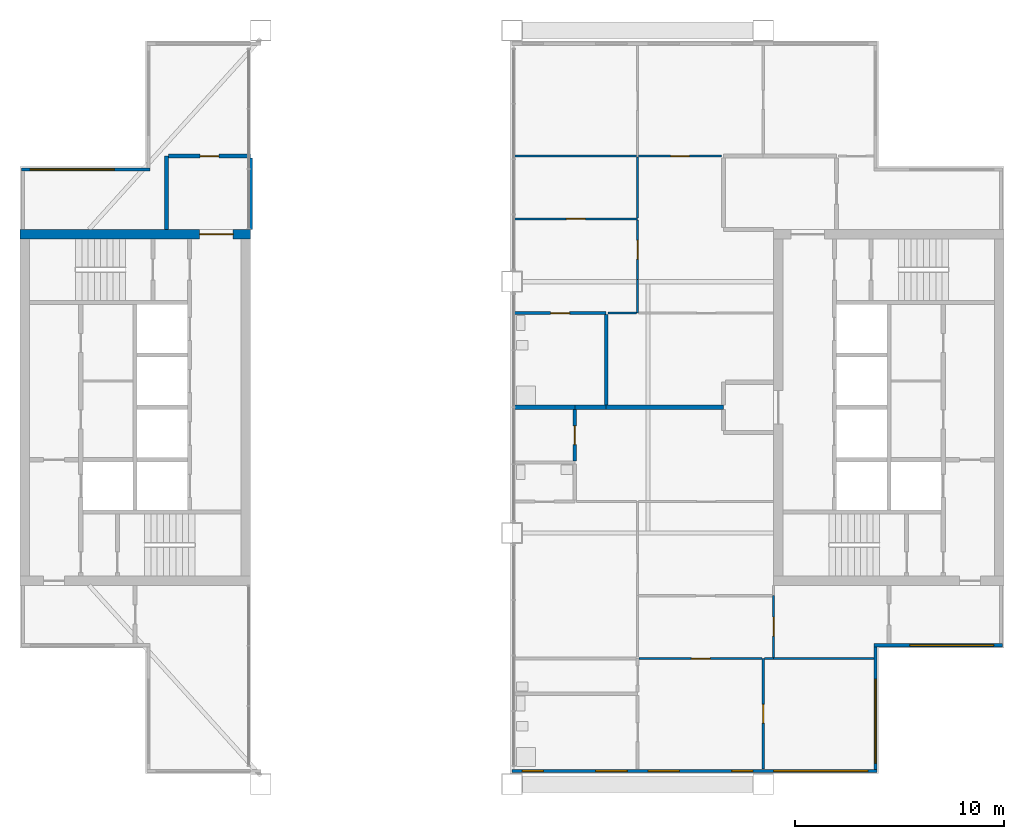
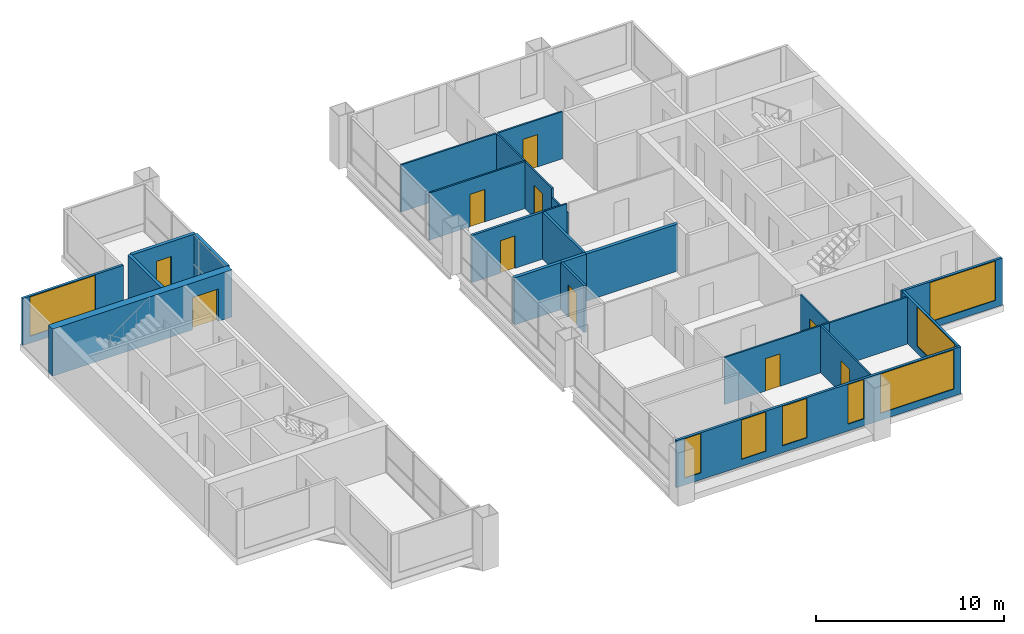
# One storey, part 8 of 13: 26 walls, 10 doors, 8 windows, 18 openings.
"""IFC4 building model written with IfcOpenShell, lengths in metres."""

from ifc_helpers import new_model, si_unit, direction, frame, frame_2d, origin, place, context, subcontext, project, spatial, rectangle, extrude, material, layer, layer_set, type_object, element, fill, save


model = new_model("IFC4")

# Units and contexts
model_context = context("Model", 3, precision=1e-05, world=origin(), true_north=direction((0.0, 1.0)))
body_context = subcontext(model_context, "Body", "Model", "MODEL_VIEW")
ifc_project = project(units=[si_unit("LENGTHUNIT", "METRE"), si_unit("AREAUNIT", "SQUARE_METRE"), si_unit("VOLUMEUNIT", "CUBIC_METRE"), si_unit("PLANEANGLEUNIT", "RADIAN"), si_unit("MASSUNIT", "GRAM", prefix="KILO")], contexts=[model_context])

# Site, building, storey
site_placement = place(None, origin())
site = spatial("IfcSite", under=ifc_project, at=site_placement, CompositionType="ELEMENT")
building_placement = place(site_placement, origin())
building = spatial("IfcBuilding", under=site, at=building_placement, Name="Kitamizu Gate Tower and Museum", CompositionType="ELEMENT")
storey_placement = place(building_placement, frame((0.0, 0.0, 252.449951171875)))
storey = spatial("IfcBuildingStorey", under=building, at=storey_placement, Name="L68", CompositionType="ELEMENT", Elevation=252.449951171875)

# Wall, opening, door
ifc_material_1 = material(Name="Concrete Fc42", Category="concrete")
ifc_layer_1 = layer(ifc_material_1, 0.449951171875)
ifc_layer_set_1 = layer_set([ifc_layer_1], Name="Concrete Fc42")
wall_type_1 = type_object("IfcWallType", Name="Core wall 450 EI 90", PredefinedType="SHEAR", material=ifc_layer_set_1)
wall_1_placement = place(storey_placement, frame((12.5, 38.27490234375, 0.0), z_axis=(0.0, 0.0, 1.0), x_axis=(1.0, 0.0, 0.0)))
wall_1 = element("IfcWall", 1, at=wall_1_placement, inside=storey, type_object=wall_type_1, Name="Core wall WN", PredefinedType="SHEAR", context=body_context, shape_type="SweptSolid", body=[
    extrude(rectangle(XDim=11.0, YDim=0.449951171875, at=frame_2d((5.5, 0.0))), origin(), (0.0, 0.0, 1.0), 3.050048828125),
])
opening_1_placement = place(wall_1_placement, frame((8.574951171875, 0.0, 0.0)))
opening_1 = element("IfcOpeningElement", 2, at=opening_1_placement, cuts=wall_1, Name="Opening L68-029", PredefinedType="OPENING", context=body_context, shape_type="SweptSolid", body=[
    extrude(rectangle(XDim=1.60009765625, YDim=2.10009765625, at=frame_2d((0.800048828125, 1.050048828125))), frame((0.0, 0.23486328125, 0.0), z_axis=(0.0, -1.0, 0.0), x_axis=(1.0, 0.0, 0.0)), (0.0, 0.0, 1.0), 0.469970703125),
])
ifc_material_2 = material(Name="Timber door set", Category="wood")
door_type_1 = type_object("IfcDoorType", Name="Entrance door 1600", OperationType="DOUBLE_DOOR_SINGLE_SWING", PredefinedType="DOOR", material=ifc_material_2)
door_1_placement = place(opening_1_placement, origin())
door_1 = element("IfcDoor", 3, at=door_1_placement, inside=storey, type_object=door_type_1, Name="Lobby door L68-029", OperationType="DOUBLE_DOOR_SINGLE_SWING", OverallHeight=2.10009765625, OverallWidth=1.60009765625, PredefinedType="DOOR", context=body_context, shape_type="SweptSolid", body=[
    extrude(rectangle(XDim=1.60009765625, YDim=2.10009765625, at=frame_2d((0.800048828125, 1.050048828125))), frame((0.0, 0.02490234375, 0.0), z_axis=(0.0, -1.0, 0.0), x_axis=(1.0, 0.0, 0.0)), (0.0, 0.0, 1.0), 0.050048828125),
])
fill(opening_1, door_1)

ifc_material_3 = material(Name="Gypsum board on galvanised stud")
ifc_layer_2 = layer(ifc_material_3, 0.10009765625)
ifc_layer_set_2 = layer_set([ifc_layer_2], Name="Gypsum board on galvanised stud")
wall_type_2 = type_object("IfcWallType", Name="Partition 100 NOT RATED", PredefinedType="PARTITIONING", material=ifc_layer_set_2)
wall_2_placement = place(storey_placement, frame((48.0, 12.719970703125, 0.0), z_axis=(0.0, 0.0, 1.0), x_axis=(0.0, 1.0, 0.0)))
wall_2 = element("IfcWall", 4, at=wall_2_placement, inside=storey, type_object=wall_type_2, Name="Partition L68-009", PredefinedType="PARTITIONING", context=body_context, shape_type="SweptSolid", body=[
    extrude(rectangle(XDim=5.280029296875, YDim=0.10009765625, at=frame_2d((2.64013671875, 0.0))), origin(), (0.0, 0.0, 1.0), 3.050048828125),
])
opening_2_placement = place(wall_2_placement, frame((2.18994140625, 0.0, 0.0)))
opening_2 = element("IfcOpeningElement", 5, at=opening_2_placement, cuts=wall_2, Name="Opening L68-007", PredefinedType="OPENING", context=body_context, shape_type="SweptSolid", body=[
    extrude(rectangle(XDim=0.89990234375, YDim=2.10009765625, at=frame_2d((0.449951171875, 1.050048828125))), frame((0.0, 0.06005859375, 0.0), z_axis=(0.0, -1.0, 0.0), x_axis=(1.0, 0.0, 0.0)), (0.0, 0.0, 1.0), 0.1201171875),
])
ifc_material_4 = material(Name="Timber door set", Category="wood")
door_type_2 = type_object("IfcDoorType", Name="Room door 900", OperationType="NOTDEFINED", PredefinedType="DOOR", material=ifc_material_4)
door_2_placement = place(opening_2_placement, frame((0.89990234375, 0.0, 0.0), x_axis=(-1.0, 0.0, 0.0)))
door_2 = element("IfcDoor", 6, at=door_2_placement, inside=storey, type_object=door_type_2, Name="Door L68-007", OperationType="SINGLE_SWING_LEFT", OverallHeight=2.10009765625, OverallWidth=0.89990234375, PredefinedType="DOOR", context=body_context, shape_type="SweptSolid", body=[
    extrude(rectangle(XDim=0.89990234375, YDim=2.10009765625, at=frame_2d((0.449951171875, 1.050048828125))), frame((0.0, 0.02490234375, 0.0), z_axis=(0.0, -1.0, 0.0), x_axis=(1.0, 0.0, 0.0)), (0.0, 0.0, 1.0), 0.050048828125),
])
fill(opening_2, door_2)

wall_3_placement = place(storey_placement, frame((47.949951171875, 18.0, 0.0), z_axis=(0.0, 0.0, 1.0), x_axis=(-1.0, 0.0, 0.0)))
wall_3 = element("IfcWall", 7, at=wall_3_placement, inside=storey, type_object=wall_type_2, Name="Partition L68-010", PredefinedType="PARTITIONING", context=body_context, shape_type="SweptSolid", body=[
    extrude(rectangle(XDim=5.875, YDim=0.10009765625, at=frame_2d((2.9375, 0.0))), origin(), (0.0, 0.0, 1.0), 3.050048828125),
])
opening_3_placement = place(wall_3_placement, frame((2.487548828125, 0.0, 0.0)))
opening_3 = element("IfcOpeningElement", 8, at=opening_3_placement, cuts=wall_3, Name="Opening L68-003", PredefinedType="OPENING", context=body_context, shape_type="SweptSolid", body=[
    extrude(rectangle(XDim=0.89990234375, YDim=2.10009765625, at=frame_2d((0.449951171875, 1.050048828125))), frame((0.0, 0.06005859375, 0.0), z_axis=(0.0, -1.0, 0.0), x_axis=(1.0, 0.0, 0.0)), (0.0, 0.0, 1.0), 0.1201171875),
])
door_3_placement = place(opening_3_placement, frame((0.89990234375, 0.0, 0.0), x_axis=(-1.0, 0.0, 0.0)))
door_3 = element("IfcDoor", 9, at=door_3_placement, inside=storey, type_object=door_type_2, Name="Door L68-003", OperationType="SINGLE_SWING_LEFT", OverallHeight=2.10009765625, OverallWidth=0.89990234375, PredefinedType="DOOR", context=body_context, shape_type="SweptSolid", body=[
    extrude(rectangle(XDim=0.89990234375, YDim=2.10009765625, at=frame_2d((0.449951171875, 1.050048828125))), frame((0.0, 0.02490234375, 0.0), z_axis=(0.0, -1.0, 0.0), x_axis=(1.0, 0.0, 0.0)), (0.0, 0.0, 1.0), 0.050048828125),
])
fill(opening_3, door_3)

# Walls
wall_4_placement = place(storey_placement, frame((53.280029296875, 18.0, 0.0), z_axis=(0.0, 0.0, 1.0), x_axis=(-1.0, 0.0, 0.0)))
element("IfcWall", 10, at=wall_4_placement, inside=storey, type_object=wall_type_2, Name="Partition L68-011", PredefinedType="PARTITIONING", context=body_context, shape_type="SweptSolid", body=[
    extrude(rectangle(XDim=4.780029296875, YDim=0.10009765625, at=frame_2d((2.39013671875, 0.0))), origin(), (0.0, 0.0, 1.0), 3.050048828125),
])
wall_5_placement = place(storey_placement, frame((48.5, 18.0, 0.0), z_axis=(0.0, 0.0, 1.0), x_axis=(-1.0, 0.0, 0.0)))
element("IfcWall", 11, at=wall_5_placement, inside=storey, type_object=wall_type_2, Name="Partition L68-012", PredefinedType="PARTITIONING", context=body_context, shape_type="SweptSolid", body=[
    extrude(rectangle(XDim=0.449951171875, YDim=0.10009765625, at=frame_2d((0.22509765625, 0.0))), origin(), (0.0, 0.0, 1.0), 3.050048828125),
])

# Wall, opening, door
wall_6_placement = place(storey_placement, frame((48.5, 21.0, 0.0), z_axis=(0.0, 0.0, 1.0), x_axis=(0.0, -1.0, 0.0)))
wall_6 = element("IfcWall", 12, at=wall_6_placement, inside=storey, type_object=wall_type_2, Name="Partition L68-013", PredefinedType="PARTITIONING", context=body_context, shape_type="SweptSolid", body=[
    extrude(rectangle(XDim=2.949951171875, YDim=0.10009765625, at=frame_2d((1.47509765625, 0.0))), origin(), (0.0, 0.0, 1.0), 3.050048828125),
])
opening_4_placement = place(wall_6_placement, frame((1.02490234375, 0.0, 0.0)))
opening_4 = element("IfcOpeningElement", 13, at=opening_4_placement, cuts=wall_6, Name="Opening L68-002", PredefinedType="OPENING", context=body_context, shape_type="SweptSolid", body=[
    extrude(rectangle(XDim=0.89990234375, YDim=2.10009765625, at=frame_2d((0.449951171875, 1.050048828125))), frame((0.0, 0.06005859375, 0.0), z_axis=(0.0, -1.0, 0.0), x_axis=(1.0, 0.0, 0.0)), (0.0, 0.0, 1.0), 0.1201171875),
])
door_4_placement = place(opening_4_placement, frame((0.89990234375, 0.0, 0.0), x_axis=(-1.0, 0.0, 0.0)))
door_4 = element("IfcDoor", 14, at=door_4_placement, inside=storey, type_object=door_type_2, Name="Door L68-002", OperationType="SINGLE_SWING_RIGHT", OverallHeight=2.10009765625, OverallWidth=0.89990234375, PredefinedType="DOOR", context=body_context, shape_type="SweptSolid", body=[
    extrude(rectangle(XDim=0.89990234375, YDim=2.10009765625, at=frame_2d((0.449951171875, 1.050048828125))), frame((0.0, 0.02490234375, 0.0), z_axis=(0.0, -1.0, 0.0), x_axis=(1.0, 0.0, 0.0)), (0.0, 0.0, 1.0), 0.050048828125),
])
fill(opening_4, door_4)

# Wall
wall_7_placement = place(storey_placement, frame((36.10009765625, 42.0, 0.0), z_axis=(0.0, 0.0, 1.0), x_axis=(1.0, 0.0, 0.0)))
element("IfcWall", 15, at=wall_7_placement, inside=storey, type_object=wall_type_2, Name="Partition L68-032", PredefinedType="PARTITIONING", context=body_context, shape_type="SweptSolid", body=[
    extrude(rectangle(XDim=5.849853515625, YDim=0.10009765625, at=frame_2d((2.9248046875, 0.0))), origin(), (0.0, 0.0, 1.0), 3.050048828125),
])

# Wall, opening, door
wall_8_placement = place(storey_placement, frame((42.050048828125, 42.0, 0.0), z_axis=(0.0, 0.0, 1.0), x_axis=(1.0, 0.0, 0.0)))
wall_8 = element("IfcWall", 16, at=wall_8_placement, inside=storey, type_object=wall_type_2, Name="Partition L68-034", PredefinedType="PARTITIONING", context=body_context, shape_type="SweptSolid", body=[
    extrude(rectangle(XDim=3.949951171875, YDim=0.10009765625, at=frame_2d((1.97509765625, 0.0))), origin(), (0.0, 0.0, 1.0), 3.050048828125),
])
opening_5_placement = place(wall_8_placement, frame((1.52490234375, 0.0, 0.0)))
opening_5 = element("IfcOpeningElement", 17, at=opening_5_placement, cuts=wall_8, Name="Opening L68-015", PredefinedType="OPENING", context=body_context, shape_type="SweptSolid", body=[
    extrude(rectangle(XDim=0.89990234375, YDim=2.10009765625, at=frame_2d((0.449951171875, 1.050048828125))), frame((0.0, 0.06005859375, 0.0), z_axis=(0.0, -1.0, 0.0), x_axis=(1.0, 0.0, 0.0)), (0.0, 0.0, 1.0), 0.1201171875),
])
door_5_placement = place(opening_5_placement, origin())
door_5 = element("IfcDoor", 18, at=door_5_placement, inside=storey, type_object=door_type_2, Name="Door L68-015", OperationType="SINGLE_SWING_RIGHT", OverallHeight=2.10009765625, OverallWidth=0.89990234375, PredefinedType="DOOR", context=body_context, shape_type="SweptSolid", body=[
    extrude(rectangle(XDim=0.89990234375, YDim=2.10009765625, at=frame_2d((0.449951171875, 1.050048828125))), frame((0.0, 0.02490234375, 0.0), z_axis=(0.0, -1.0, 0.0), x_axis=(1.0, 0.0, 0.0)), (0.0, 0.0, 1.0), 0.050048828125),
])
fill(opening_5, door_5)

wall_9_placement = place(storey_placement, frame((42.0, 39.0, 0.0), z_axis=(0.0, 0.0, 1.0), x_axis=(-1.0, 0.0, 0.0)))
wall_9 = element("IfcWall", 19, at=wall_9_placement, inside=storey, type_object=wall_type_2, Name="Partition L68-039", PredefinedType="PARTITIONING", context=body_context, shape_type="SweptSolid", body=[
    extrude(rectangle(XDim=5.89990234375, YDim=0.10009765625, at=frame_2d((2.949951171875, 0.0))), origin(), (0.0, 0.0, 1.0), 3.050048828125),
])
opening_6_placement = place(wall_9_placement, frame((2.5, 0.0, 0.0)))
opening_6 = element("IfcOpeningElement", 20, at=opening_6_placement, cuts=wall_9, Name="Opening L68-019", PredefinedType="OPENING", context=body_context, shape_type="SweptSolid", body=[
    extrude(rectangle(XDim=0.89990234375, YDim=2.10009765625, at=frame_2d((0.449951171875, 1.050048828125))), frame((0.0, 0.06005859375, 0.0), z_axis=(0.0, -1.0, 0.0), x_axis=(1.0, 0.0, 0.0)), (0.0, 0.0, 1.0), 0.1201171875),
])
door_6_placement = place(opening_6_placement, frame((0.89990234375, 0.0, 0.0), x_axis=(-1.0, 0.0, 0.0)))
door_6 = element("IfcDoor", 21, at=door_6_placement, inside=storey, type_object=door_type_2, Name="Door L68-019", OperationType="SINGLE_SWING_RIGHT", OverallHeight=2.10009765625, OverallWidth=0.89990234375, PredefinedType="DOOR", context=body_context, shape_type="SweptSolid", body=[
    extrude(rectangle(XDim=0.89990234375, YDim=2.10009765625, at=frame_2d((0.449951171875, 1.050048828125))), frame((0.0, 0.02490234375, 0.0), z_axis=(0.0, -1.0, 0.0), x_axis=(1.0, 0.0, 0.0)), (0.0, 0.0, 1.0), 0.050048828125),
])
fill(opening_6, door_6)

# Wall
wall_10_placement = place(storey_placement, frame((42.0, 34.5, 0.0), z_axis=(0.0, 0.0, 1.0), x_axis=(0.0, 1.0, 0.0)))
element("IfcWall", 22, at=wall_10_placement, inside=storey, type_object=wall_type_2, Name="Partition L68-040", PredefinedType="PARTITIONING", context=body_context, shape_type="SweptSolid", body=[
    extrude(rectangle(XDim=1.60009765625, YDim=0.10009765625, at=frame_2d((0.800048828125, 0.0))), origin(), (0.0, 0.0, 1.0), 2.449951171875),
])

# Wall, opening, door
wall_11_placement = place(storey_placement, frame((42.0, 36.10009765625, 0.0), z_axis=(0.0, 0.0, 1.0), x_axis=(0.0, 1.0, 0.0)))
wall_11 = element("IfcWall", 23, at=wall_11_placement, inside=storey, type_object=wall_type_2, Name="Partition L68-041", PredefinedType="PARTITIONING", context=body_context, shape_type="SweptSolid", body=[
    extrude(rectangle(XDim=2.849853515625, YDim=0.10009765625, at=frame_2d((1.4248046875, 0.0))), origin(), (0.0, 0.0, 1.0), 3.050048828125),
])
opening_7_placement = place(wall_11_placement, frame((0.97509765625, 0.0, 0.0)))
opening_7 = element("IfcOpeningElement", 24, at=opening_7_placement, cuts=wall_11, Name="Opening L68-018", PredefinedType="OPENING", context=body_context, shape_type="SweptSolid", body=[
    extrude(rectangle(XDim=0.89990234375, YDim=2.10009765625, at=frame_2d((0.449951171875, 1.050048828125))), frame((0.0, 0.06005859375, 0.0), z_axis=(0.0, -1.0, 0.0), x_axis=(1.0, 0.0, 0.0)), (0.0, 0.0, 1.0), 0.1201171875),
])
door_7_placement = place(opening_7_placement, origin())
door_7 = element("IfcDoor", 25, at=door_7_placement, inside=storey, type_object=door_type_2, Name="Door L68-018", OperationType="SINGLE_SWING_LEFT", OverallHeight=2.10009765625, OverallWidth=0.89990234375, PredefinedType="DOOR", context=body_context, shape_type="SweptSolid", body=[
    extrude(rectangle(XDim=0.89990234375, YDim=2.10009765625, at=frame_2d((0.449951171875, 1.050048828125))), frame((0.0, 0.02490234375, 0.0), z_axis=(0.0, -1.0, 0.0), x_axis=(1.0, 0.0, 0.0)), (0.0, 0.0, 1.0), 0.050048828125),
])
fill(opening_7, door_7)

# Walls
wall_12_placement = place(storey_placement, frame((40.574951171875, 34.5, 0.0), z_axis=(0.0, 0.0, 1.0), x_axis=(1.0, 0.0, 0.0)))
element("IfcWall", 26, at=wall_12_placement, inside=storey, type_object=wall_type_2, Name="Partition L68-043", PredefinedType="PARTITIONING", context=body_context, shape_type="SweptSolid", body=[
    extrude(rectangle(XDim=1.375, YDim=0.10009765625, at=frame_2d((0.6875, 0.0))), origin(), (0.0, 0.0, 1.0), 3.050048828125),
])
wall_13_placement = place(storey_placement, frame((42.0, 39.050048828125, 0.0), z_axis=(0.0, 0.0, 1.0), x_axis=(0.0, 1.0, 0.0)))
element("IfcWall", 27, at=wall_13_placement, inside=storey, type_object=wall_type_2, Name="Partition L68-044", PredefinedType="PARTITIONING", context=body_context, shape_type="SweptSolid", body=[
    extrude(rectangle(XDim=2.89990234375, YDim=0.10009765625, at=frame_2d((1.449951171875, 0.0))), origin(), (0.0, 0.0, 1.0), 3.050048828125),
])

# Wall, opening, door
ifc_material_5 = material(Name="Gypsum board on galvanised stud")
ifc_layer_3 = layer(ifc_material_5, 0.14990234375)
ifc_layer_set_3 = layer_set([ifc_layer_3], Name="Gypsum board on galvanised stud")
wall_type_3 = type_object("IfcWallType", Name="Partition 150", PredefinedType="PARTITIONING", material=ifc_layer_set_3)
wall_14_placement = place(storey_placement, frame((39.0, 27.43701171875, 0.0), z_axis=(0.0, 0.0, 1.0), x_axis=(0.0, 1.0, 0.0)))
wall_14 = element("IfcWall", 28, at=wall_14_placement, inside=storey, type_object=wall_type_3, Name="Partition L68-025", PredefinedType="PARTITIONING", context=body_context, shape_type="SweptSolid", body=[
    extrude(rectangle(XDim=2.462890625, YDim=0.14990234375, at=frame_2d((1.2314453125, 0.0))), origin(), (0.0, 0.0, 1.0), 3.050048828125),
])
opening_8_placement = place(wall_14_placement, frame((0.781494140625, 0.0, 0.0)))
opening_8 = element("IfcOpeningElement", 29, at=opening_8_placement, cuts=wall_14, Name="Opening L68-011", PredefinedType="OPENING", context=body_context, shape_type="SweptSolid", body=[
    extrude(rectangle(XDim=0.89990234375, YDim=2.10009765625, at=frame_2d((0.449951171875, 1.050048828125))), frame((0.0, 0.0849609375, 0.0), z_axis=(0.0, -1.0, 0.0), x_axis=(1.0, 0.0, 0.0)), (0.0, 0.0, 1.0), 0.169921875),
])
ifc_material_6 = material(Name="Timber door set", Category="wood")
door_type_3 = type_object("IfcDoorType", Name="Bathroom door 900", OperationType="NOTDEFINED", PredefinedType="DOOR", material=ifc_material_6)
door_8_placement = place(opening_8_placement, origin())
door_8 = element("IfcDoor", 30, at=door_8_placement, inside=storey, type_object=door_type_3, Name="Bathroom door L68-011", OperationType="SINGLE_SWING_LEFT", OverallHeight=2.10009765625, OverallWidth=0.89990234375, PredefinedType="DOOR", context=body_context, shape_type="SweptSolid", body=[
    extrude(rectangle(XDim=0.89990234375, YDim=2.10009765625, at=frame_2d((0.449951171875, 1.050048828125))), frame((0.0, 0.02490234375, 0.0), z_axis=(0.0, -1.0, 0.0), x_axis=(1.0, 0.0, 0.0)), (0.0, 0.0, 1.0), 0.050048828125),
])
fill(opening_8, door_8)

wall_15_placement = place(storey_placement, frame((36.10009765625, 34.5, 0.0), z_axis=(0.0, 0.0, 1.0), x_axis=(1.0, 0.0, 0.0)))
wall_15 = element("IfcWall", 31, at=wall_15_placement, inside=storey, type_object=wall_type_3, Name="Partition L68-042", PredefinedType="PARTITIONING", context=body_context, shape_type="SweptSolid", body=[
    extrude(rectangle(XDim=4.39990234375, YDim=0.14990234375, at=frame_2d((2.199951171875, 0.0))), origin(), (0.0, 0.0, 1.0), 3.050048828125),
])
opening_9_placement = place(wall_15_placement, frame((1.75, 0.0, 0.0)))
opening_9 = element("IfcOpeningElement", 32, at=opening_9_placement, cuts=wall_15, Name="Opening L68-020", PredefinedType="OPENING", context=body_context, shape_type="SweptSolid", body=[
    extrude(rectangle(XDim=0.89990234375, YDim=2.10009765625, at=frame_2d((0.449951171875, 1.050048828125))), frame((0.0, 0.0849609375, 0.0), z_axis=(0.0, -1.0, 0.0), x_axis=(1.0, 0.0, 0.0)), (0.0, 0.0, 1.0), 0.169921875),
])
door_9_placement = place(opening_9_placement, frame((0.89990234375, 0.0, 0.0), x_axis=(-1.0, 0.0, 0.0)))
door_9 = element("IfcDoor", 33, at=door_9_placement, inside=storey, type_object=door_type_3, Name="Bathroom door L68-020", OperationType="SINGLE_SWING_LEFT", OverallHeight=2.10009765625, OverallWidth=0.89990234375, PredefinedType="DOOR", context=body_context, shape_type="SweptSolid", body=[
    extrude(rectangle(XDim=0.89990234375, YDim=2.10009765625, at=frame_2d((0.449951171875, 1.050048828125))), frame((0.0, 0.02490234375, 0.0), z_axis=(0.0, -1.0, 0.0), x_axis=(1.0, 0.0, 0.0)), (0.0, 0.0, 1.0), 0.050048828125),
])
fill(opening_9, door_9)

# Walls
wall_16_placement = place(storey_placement, frame((40.5, 30.10009765625, 0.0), z_axis=(0.0, 0.0, 1.0), x_axis=(0.0, 1.0, 0.0)))
element("IfcWall", 34, at=wall_16_placement, inside=storey, type_object=wall_type_3, Name="Partition L68-048", PredefinedType="PARTITIONING", context=body_context, shape_type="SweptSolid", body=[
    extrude(rectangle(XDim=4.324951171875, YDim=0.14990234375, at=frame_2d((2.16259765625, 0.0))), origin(), (0.0, 0.0, 1.0), 3.050048828125),
])
ifc_material_7 = material(Name="Gypsum board on galvanised stud")
ifc_layer_4 = layer(ifc_material_7, 0.199951171875)
ifc_layer_set_4 = layer_set([ifc_layer_4], Name="Gypsum board on galvanised stud")
wall_type_4 = type_object("IfcWallType", Name="Partition 200", PredefinedType="PARTITIONING", material=ifc_layer_set_4)
wall_17_placement = place(storey_placement, frame((19.5, 38.5, 0.0), z_axis=(0.0, 0.0, 1.0), x_axis=(0.0, 1.0, 0.0)))
element("IfcWall", 35, at=wall_17_placement, inside=storey, type_object=wall_type_4, Name="Partition L68-002", PredefinedType="PARTITIONING", context=body_context, shape_type="SweptSolid", body=[
    extrude(rectangle(XDim=3.5, YDim=0.199951171875, at=frame_2d((1.75, 0.0))), origin(), (0.0, 0.0, 1.0), 3.050048828125),
])

# Wall, opening, door
wall_18_placement = place(storey_placement, frame((19.60009765625, 42.0, 0.0), z_axis=(0.0, 0.0, 1.0), x_axis=(1.0, 0.0, 0.0)))
wall_18 = element("IfcWall", 36, at=wall_18_placement, inside=storey, type_object=wall_type_4, Name="Partition L68-003", PredefinedType="PARTITIONING", context=body_context, shape_type="SweptSolid", body=[
    extrude(rectangle(XDim=3.89990234375, YDim=0.199951171875, at=frame_2d((1.949951171875, 0.0))), origin(), (0.0, 0.0, 1.0), 3.050048828125),
])
opening_10_placement = place(wall_18_placement, frame((1.5, 0.0, 0.0)))
opening_10 = element("IfcOpeningElement", 37, at=opening_10_placement, cuts=wall_18, Name="Opening L68-022", PredefinedType="OPENING", context=body_context, shape_type="SweptSolid", body=[
    extrude(rectangle(XDim=0.89990234375, YDim=2.10009765625, at=frame_2d((0.449951171875, 1.050048828125))), frame((0.0, 0.10986328125, 0.0), z_axis=(0.0, -1.0, 0.0), x_axis=(1.0, 0.0, 0.0)), (0.0, 0.0, 1.0), 0.219970703125),
])
door_10_placement = place(opening_10_placement, origin())
door_10 = element("IfcDoor", 38, at=door_10_placement, inside=storey, type_object=door_type_2, Name="Door L68-022", OperationType="SINGLE_SWING_RIGHT", OverallHeight=2.10009765625, OverallWidth=0.89990234375, PredefinedType="DOOR", context=body_context, shape_type="SweptSolid", body=[
    extrude(rectangle(XDim=0.89990234375, YDim=2.10009765625, at=frame_2d((0.449951171875, 1.050048828125))), frame((0.0, 0.02490234375, 0.0), z_axis=(0.0, -1.0, 0.0), x_axis=(1.0, 0.0, 0.0)), (0.0, 0.0, 1.0), 0.050048828125),
])
fill(opening_10, door_10)

# Walls
wall_19_placement = place(storey_placement, frame((23.5, 41.89990234375, 0.0), z_axis=(0.0, 0.0, 1.0), x_axis=(0.0, -1.0, 0.0)))
element("IfcWall", 39, at=wall_19_placement, inside=storey, type_object=wall_type_4, Name="Partition L68-004", PredefinedType="PARTITIONING", context=body_context, shape_type="SweptSolid", body=[
    extrude(rectangle(XDim=3.39990234375, YDim=0.199951171875, at=frame_2d((1.699951171875, 0.0))), origin(), (0.0, 0.0, 1.0), 3.050048828125),
])
wall_20_placement = place(storey_placement, frame((39.0, 30.0, 0.0), z_axis=(0.0, 0.0, 1.0), x_axis=(-1.0, 0.0, 0.0)))
element("IfcWall", 40, at=wall_20_placement, inside=storey, type_object=wall_type_4, Name="Partition L68-026", PredefinedType="PARTITIONING", context=body_context, shape_type="SweptSolid", body=[
    extrude(rectangle(XDim=2.89990234375, YDim=0.199951171875, at=frame_2d((1.449951171875, 0.0))), origin(), (0.0, 0.0, 1.0), 3.050048828125),
])
wall_21_placement = place(storey_placement, frame((40.5, 30.0, 0.0), z_axis=(0.0, 0.0, 1.0), x_axis=(-1.0, 0.0, 0.0)))
element("IfcWall", 41, at=wall_21_placement, inside=storey, type_object=wall_type_4, Name="Partition L68-027", PredefinedType="PARTITIONING", context=body_context, shape_type="SweptSolid", body=[
    extrude(rectangle(XDim=1.5, YDim=0.199951171875, at=frame_2d((0.75, 0.0))), origin(), (0.0, 0.0, 1.0), 3.050048828125),
])
wall_22_placement = place(storey_placement, frame((46.10009765625, 30.0, 0.0), z_axis=(0.0, 0.0, 1.0), x_axis=(-1.0, 0.0, 0.0)))
element("IfcWall", 42, at=wall_22_placement, inside=storey, type_object=wall_type_4, Name="Partition L68-028", PredefinedType="PARTITIONING", context=body_context, shape_type="SweptSolid", body=[
    extrude(rectangle(XDim=5.60009765625, YDim=0.199951171875, at=frame_2d((2.800048828125, 0.0))), origin(), (0.0, 0.0, 1.0), 3.050048828125),
])

# Wall, openings, windows
ifc_material_8 = material(Name="Bronze anodised aluminium frame with insulated spandrel and tinted glass", Category="aluminium")
ifc_layer_5 = layer(ifc_material_8, 0.14990234375)
ifc_layer_set_5 = layer_set([ifc_layer_5], Name="Bronze anodised aluminium frame with insulated spandrel and tinted glass")
wall_type_5 = type_object("IfcWallType", Name="WINDOW WALL 150 BRONZE FRAME EI 30", PredefinedType="ELEMENTEDWALL", material=ifc_layer_set_5)
wall_23_placement = place(storey_placement, frame((36.0, 12.635009765625, 0.0), z_axis=(0.0, 0.0, 1.0), x_axis=(1.0, 0.0, 0.0)))
wall_23 = element("IfcWall", 43, at=wall_23_placement, inside=storey, type_object=wall_type_5, Name="Window wall south L68", PredefinedType="ELEMENTEDWALL", context=body_context, shape_type="SweptSolid", body=[
    extrude(rectangle(XDim=17.43994140625, YDim=0.14990234375, at=frame_2d((8.719970703125, 0.0))), origin(), (0.0, 0.0, 1.0), 3.050048828125),
])
opening_11_placement = place(wall_23_placement, frame((0.5, 0.0, 0.449951171875)))
opening_11 = element("IfcOpeningElement", 44, at=opening_11_placement, cuts=wall_23, Name="Opening W26", PredefinedType="OPENING", context=body_context, shape_type="SweptSolid", body=[
    extrude(rectangle(XDim=1.0, YDim=2.550048828125, at=frame_2d((0.5, 1.27490234375))), frame((0.0, 0.0849609375, 0.0), z_axis=(0.0, -1.0, 0.0), x_axis=(1.0, 0.0, 0.0)), (0.0, 0.0, 1.0), 0.169921875),
])
opening_12_placement = place(wall_23_placement, frame((4.0, 0.0, 0.449951171875)))
opening_12 = element("IfcOpeningElement", 45, at=opening_12_placement, cuts=wall_23, Name="Opening W28", PredefinedType="OPENING", context=body_context, shape_type="SweptSolid", body=[
    extrude(rectangle(XDim=1.5, YDim=2.550048828125, at=frame_2d((0.75, 1.27490234375))), frame((0.0, 0.0849609375, 0.0), z_axis=(0.0, -1.0, 0.0), x_axis=(1.0, 0.0, 0.0)), (0.0, 0.0, 1.0), 0.169921875),
])
opening_13_placement = place(wall_23_placement, frame((6.5, 0.0, 0.449951171875)))
opening_13 = element("IfcOpeningElement", 46, at=opening_13_placement, cuts=wall_23, Name="Opening W28", PredefinedType="OPENING", context=body_context, shape_type="SweptSolid", body=[
    extrude(rectangle(XDim=1.5, YDim=2.550048828125, at=frame_2d((0.75, 1.27490234375))), frame((0.0, 0.0849609375, 0.0), z_axis=(0.0, -1.0, 0.0), x_axis=(1.0, 0.0, 0.0)), (0.0, 0.0, 1.0), 0.169921875),
])
opening_14_placement = place(wall_23_placement, frame((10.5, 0.0, 0.449951171875)))
opening_14 = element("IfcOpeningElement", 47, at=opening_14_placement, cuts=wall_23, Name="Opening W26", PredefinedType="OPENING", context=body_context, shape_type="SweptSolid", body=[
    extrude(rectangle(XDim=1.0, YDim=2.550048828125, at=frame_2d((0.5, 1.27490234375))), frame((0.0, 0.0849609375, 0.0), z_axis=(0.0, -1.0, 0.0), x_axis=(1.0, 0.0, 0.0)), (0.0, 0.0, 1.0), 0.169921875),
])
opening_15_placement = place(wall_23_placement, frame((12.5, 0.0, 0.449951171875)))
opening_15 = element("IfcOpeningElement", 48, at=opening_15_placement, cuts=wall_23, Name="Opening W15", PredefinedType="OPENING", context=body_context, shape_type="SweptSolid", body=[
    extrude(rectangle(XDim=4.5, YDim=2.550048828125, at=frame_2d((2.25, 1.27490234375))), frame((0.0, 0.0849609375, 0.0), z_axis=(0.0, -1.0, 0.0), x_axis=(1.0, 0.0, 0.0)), (0.0, 0.0, 1.0), 0.169921875),
])
ifc_material_9 = material(Name="Bronze anodised aluminium frame, tinted triple glazing", Category="aluminium")
window_type_1 = type_object("IfcWindowType", Name="WINDOW 1000 x 2550 SILL 450", PartitioningType="SINGLE_PANEL", PredefinedType="WINDOW", material=ifc_material_9)
window_1_placement = place(opening_11_placement, origin())
window_1 = element("IfcWindow", 49, at=window_1_placement, inside=storey, type_object=window_type_1, Name="Window W26 L68", OverallHeight=2.550048828125, OverallWidth=1.0, PartitioningType="SINGLE_PANEL", PredefinedType="WINDOW", context=body_context, shape_type="SweptSolid", body=[
    extrude(rectangle(XDim=1.0, YDim=2.550048828125, at=frame_2d((0.5, 1.27490234375))), frame((0.0, 0.030029296875, 0.0), z_axis=(0.0, -1.0, 0.0), x_axis=(1.0, 0.0, 0.0)), (0.0, 0.0, 1.0), 0.06005859375),
])
fill(opening_11, window_1)
window_2_placement = place(opening_14_placement, origin())
window_2 = element("IfcWindow", 50, at=window_2_placement, inside=storey, type_object=window_type_1, Name="Window W26 L68", OverallHeight=2.550048828125, OverallWidth=1.0, PartitioningType="SINGLE_PANEL", PredefinedType="WINDOW", context=body_context, shape_type="SweptSolid", body=[
    extrude(rectangle(XDim=1.0, YDim=2.550048828125, at=frame_2d((0.5, 1.27490234375))), frame((0.0, 0.030029296875, 0.0), z_axis=(0.0, -1.0, 0.0), x_axis=(1.0, 0.0, 0.0)), (0.0, 0.0, 1.0), 0.06005859375),
])
fill(opening_14, window_2)
ifc_material_10 = material(Name="Bronze anodised aluminium frame, tinted triple glazing", Category="aluminium")
window_type_2 = type_object("IfcWindowType", Name="WINDOW 1500 x 2550 SILL 450", PartitioningType="SINGLE_PANEL", PredefinedType="WINDOW", material=ifc_material_10)
window_3_placement = place(opening_12_placement, origin())
window_3 = element("IfcWindow", 51, at=window_3_placement, inside=storey, type_object=window_type_2, Name="Window W28 L68", OverallHeight=2.550048828125, OverallWidth=1.5, PartitioningType="SINGLE_PANEL", PredefinedType="WINDOW", context=body_context, shape_type="SweptSolid", body=[
    extrude(rectangle(XDim=1.5, YDim=2.550048828125, at=frame_2d((0.75, 1.27490234375))), frame((0.0, 0.030029296875, 0.0), z_axis=(0.0, -1.0, 0.0), x_axis=(1.0, 0.0, 0.0)), (0.0, 0.0, 1.0), 0.06005859375),
])
fill(opening_12, window_3)
window_4_placement = place(opening_13_placement, origin())
window_4 = element("IfcWindow", 52, at=window_4_placement, inside=storey, type_object=window_type_2, Name="Window W28 L68", OverallHeight=2.550048828125, OverallWidth=1.5, PartitioningType="SINGLE_PANEL", PredefinedType="WINDOW", context=body_context, shape_type="SweptSolid", body=[
    extrude(rectangle(XDim=1.5, YDim=2.550048828125, at=frame_2d((0.75, 1.27490234375))), frame((0.0, 0.030029296875, 0.0), z_axis=(0.0, -1.0, 0.0), x_axis=(1.0, 0.0, 0.0)), (0.0, 0.0, 1.0), 0.06005859375),
])
fill(opening_13, window_4)
ifc_material_11 = material(Name="Bronze anodised aluminium frame, tinted triple glazing", Category="aluminium")
window_type_3 = type_object("IfcWindowType", Name="WINDOW 4500 x 2550 SILL 450", PartitioningType="SINGLE_PANEL", PredefinedType="WINDOW", material=ifc_material_11)
window_5_placement = place(opening_15_placement, origin())
window_5 = element("IfcWindow", 53, at=window_5_placement, inside=storey, type_object=window_type_3, Name="Window W15 L68", OverallHeight=2.550048828125, OverallWidth=4.5, PartitioningType="SINGLE_PANEL", PredefinedType="WINDOW", context=body_context, shape_type="SweptSolid", body=[
    extrude(rectangle(XDim=4.5, YDim=2.550048828125, at=frame_2d((2.25, 1.27490234375))), frame((0.0, 0.030029296875, 0.0), z_axis=(0.0, -1.0, 0.0), x_axis=(1.0, 0.0, 0.0)), (0.0, 0.0, 1.0), 0.06005859375),
])
fill(opening_15, window_5)

# Wall, opening, window
wall_24_placement = place(storey_placement, frame((53.364990234375, 12.7099609375, 0.0), z_axis=(0.0, 0.0, 1.0), x_axis=(0.0, 1.0, 0.0)))
wall_24 = element("IfcWall", 54, at=wall_24_placement, inside=storey, type_object=wall_type_5, Name="Window wall east L68", PredefinedType="ELEMENTEDWALL", context=body_context, shape_type="SweptSolid", body=[
    extrude(rectangle(XDim=5.85009765625, YDim=0.14990234375, at=frame_2d((2.925048828125, 0.0))), origin(), (0.0, 0.0, 1.0), 3.050048828125),
])
opening_16_placement = place(wall_24_placement, frame((0.2900390625, 0.0, 0.449951171875)))
opening_16 = element("IfcOpeningElement", 55, at=opening_16_placement, cuts=wall_24, Name="Opening W16", PredefinedType="OPENING", context=body_context, shape_type="SweptSolid", body=[
    extrude(rectangle(XDim=4.0, YDim=2.550048828125, at=frame_2d((2.0, 1.27490234375))), frame((0.0, 0.0849609375, 0.0), z_axis=(0.0, -1.0, 0.0), x_axis=(1.0, 0.0, 0.0)), (0.0, 0.0, 1.0), 0.169921875),
])
ifc_material_12 = material(Name="Bronze anodised aluminium frame, tinted triple glazing", Category="aluminium")
window_type_4 = type_object("IfcWindowType", Name="WINDOW 4000 x 2550 SILL 450", PartitioningType="SINGLE_PANEL", PredefinedType="WINDOW", material=ifc_material_12)
window_6_placement = place(opening_16_placement, origin())
window_6 = element("IfcWindow", 56, at=window_6_placement, inside=storey, type_object=window_type_4, Name="Window W16 L68", OverallHeight=2.550048828125, OverallWidth=4.0, PartitioningType="SINGLE_PANEL", PredefinedType="WINDOW", context=body_context, shape_type="SweptSolid", body=[
    extrude(rectangle(XDim=4.0, YDim=2.550048828125, at=frame_2d((2.0, 1.27490234375))), frame((0.0, 0.030029296875, 0.0), z_axis=(0.0, -1.0, 0.0), x_axis=(1.0, 0.0, 0.0)), (0.0, 0.0, 1.0), 0.06005859375),
])
fill(opening_16, window_6)

wall_25_placement = place(storey_placement, frame((53.2900390625, 18.635009765625, 0.0), z_axis=(0.0, 0.0, 1.0), x_axis=(1.0, 0.0, 0.0)))
wall_25 = element("IfcWall", 57, at=wall_25_placement, inside=storey, type_object=wall_type_5, Name="Window wall south L68", PredefinedType="ELEMENTEDWALL", context=body_context, shape_type="SweptSolid", body=[
    extrude(rectangle(XDim=6.14990234375, YDim=0.14990234375, at=frame_2d((3.074951171875, 0.0))), origin(), (0.0, 0.0, 1.0), 3.050048828125),
])
opening_17_placement = place(wall_25_placement, frame((1.7099609375, 0.0, 0.449951171875)))
opening_17 = element("IfcOpeningElement", 58, at=opening_17_placement, cuts=wall_25, Name="Opening W16", PredefinedType="OPENING", context=body_context, shape_type="SweptSolid", body=[
    extrude(rectangle(XDim=4.0, YDim=2.550048828125, at=frame_2d((2.0, 1.27490234375))), frame((0.0, 0.0849609375, 0.0), z_axis=(0.0, -1.0, 0.0), x_axis=(1.0, 0.0, 0.0)), (0.0, 0.0, 1.0), 0.169921875),
])
window_7_placement = place(opening_17_placement, origin())
window_7 = element("IfcWindow", 59, at=window_7_placement, inside=storey, type_object=window_type_4, Name="Window W16 L68", OverallHeight=2.550048828125, OverallWidth=4.0, PartitioningType="SINGLE_PANEL", PredefinedType="WINDOW", context=body_context, shape_type="SweptSolid", body=[
    extrude(rectangle(XDim=4.0, YDim=2.550048828125, at=frame_2d((2.0, 1.27490234375))), frame((0.0, 0.030029296875, 0.0), z_axis=(0.0, -1.0, 0.0), x_axis=(1.0, 0.0, 0.0)), (0.0, 0.0, 1.0), 0.06005859375),
])
fill(opening_17, window_7)

wall_26_placement = place(storey_placement, frame((12.56005859375, 41.364990234375, 0.0), z_axis=(0.0, 0.0, 1.0), x_axis=(1.0, 0.0, 0.0)))
wall_26 = element("IfcWall", 60, at=wall_26_placement, inside=storey, type_object=wall_type_5, Name="Window wall north L68", PredefinedType="ELEMENTEDWALL", context=body_context, shape_type="SweptSolid", body=[
    extrude(rectangle(XDim=6.14990234375, YDim=0.14990234375, at=frame_2d((3.074951171875, 0.0))), origin(), (0.0, 0.0, 1.0), 3.050048828125),
])
opening_18_placement = place(wall_26_placement, frame((0.43994140625, 0.0, 0.449951171875)))
opening_18 = element("IfcOpeningElement", 61, at=opening_18_placement, cuts=wall_26, Name="Opening W16", PredefinedType="OPENING", context=body_context, shape_type="SweptSolid", body=[
    extrude(rectangle(XDim=4.0, YDim=2.550048828125, at=frame_2d((2.0, 1.27490234375))), frame((0.0, 0.0849609375, 0.0), z_axis=(0.0, -1.0, 0.0), x_axis=(1.0, 0.0, 0.0)), (0.0, 0.0, 1.0), 0.169921875),
])
window_8_placement = place(opening_18_placement, origin())
window_8 = element("IfcWindow", 62, at=window_8_placement, inside=storey, type_object=window_type_4, Name="Window W16 L68", OverallHeight=2.550048828125, OverallWidth=4.0, PartitioningType="SINGLE_PANEL", PredefinedType="WINDOW", context=body_context, shape_type="SweptSolid", body=[
    extrude(rectangle(XDim=4.0, YDim=2.550048828125, at=frame_2d((2.0, 1.27490234375))), frame((0.0, 0.030029296875, 0.0), z_axis=(0.0, -1.0, 0.0), x_axis=(1.0, 0.0, 0.0)), (0.0, 0.0, 1.0), 0.06005859375),
])
fill(opening_18, window_8)

save(model, "model.ifc")
